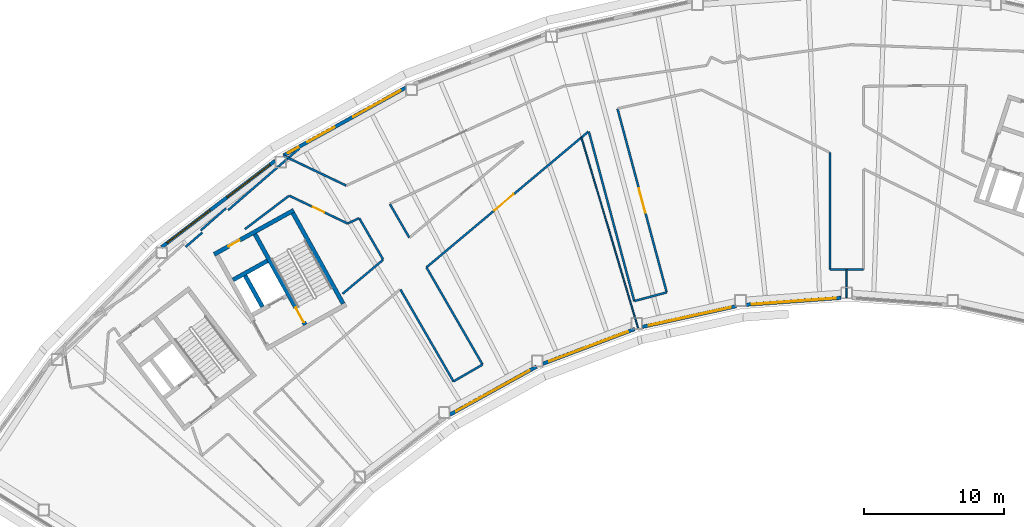
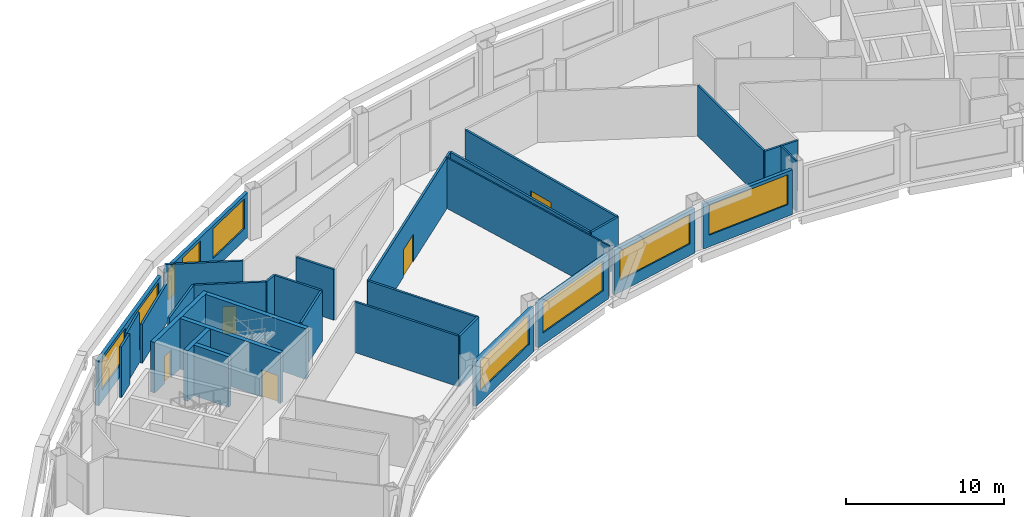
# One storey, part 6 of 13: 32 walls, 9 windows, 5 doors, 14 openings.
"""IFC4 building model written with IfcOpenShell, lengths in metres."""

import ifcopenshell
import ifcopenshell.guid

model = None  # the IFC model being written
_history = None  # IfcOwnerHistory: only IFC2X3 demands one
_inside = {}  # id of a spatial element -> (the spatial element, [elements in it])
_under = {}  # id of a project, library or spatial element -> (it, [spatial elements below it])
_declared = {}  # id of a project -> (the project, [libraries it declares])
_typed = {}  # id of a type object -> (the type object, [elements of that type])
_made_of = {}  # id of a material, layer set ... -> (it, [elements and type objects made of it])


def new_model(schema):
    """Start an empty IFC model of exactly this schema.

    Asked for "IFC4X3", IfcOpenShell would pick the latest addendum, in which some entities
    have other attributes; the version numbers below select the first issue.
    IFC2X3 requires an IfcOwnerHistory on every rooted entity: one is made here for all.
    """
    global model, _history
    if schema == "IFC4X3":
        model = ifcopenshell.file(schema_version=(4, 3, 0, 0))
    else:
        model = ifcopenshell.file(schema=schema)
    _inside.clear()
    _under.clear()
    _declared.clear()
    _typed.clear()
    _made_of.clear()
    _history = None
    if model.schema == "IFC2X3":
        org = make("IfcOrganization", Name="unknown")
        user = make(
            "IfcPersonAndOrganization",
            ThePerson=make("IfcPerson", FamilyName="unknown"),
            TheOrganization=org,
        )
        app = make(
            "IfcApplication",
            ApplicationDeveloper=org,
            Version="unknown",
            ApplicationFullName="unknown",
            ApplicationIdentifier="unknown",
        )
        _history = make(
            "IfcOwnerHistory",
            OwningUser=user,
            OwningApplication=app,
            ChangeAction="ADDED",
            CreationDate=0,
        )
    return model


def make(cls, **values):
    """One entity of the class cls with the attributes given. An attribute that is None is left unset."""
    return model.create_entity(
        cls, **{name: value for name, value in values.items() if value is not None}
    )


def rooted(cls, **values):
    """An entity with a GlobalId (a new one), such as an element, a storey or a relation."""
    return make(cls, GlobalId=ifcopenshell.guid.new(), OwnerHistory=_history, **values)


def si_unit(unit_type, name, prefix=None):
    """IfcSIUnit, for example si_unit("LENGTHUNIT", "METRE", prefix="MILLI")."""
    return make("IfcSIUnit", UnitType=unit_type, Prefix=prefix, Name=name)


def assignment(units):
    """IfcUnitAssignment: the units of a project."""
    return None if units is None else make("IfcUnitAssignment", Units=units)


def point(xyz):
    """IfcCartesianPoint."""
    return None if xyz is None else make("IfcCartesianPoint", Coordinates=xyz)


def direction(xyz):
    """IfcDirection."""
    return None if xyz is None else make("IfcDirection", DirectionRatios=xyz)


def frame(location, z_axis=None, x_axis=None):
    """IfcAxis2Placement3D, a coordinate frame: its origin and axes. An axis left out is left unset."""
    return make(
        "IfcAxis2Placement3D",
        Location=point(location),
        Axis=direction(z_axis),
        RefDirection=direction(x_axis),
    )


def frame_2d(location, x_axis=None):
    """IfcAxis2Placement2D, a coordinate frame in the plane: its origin and x axis."""
    return make(
        "IfcAxis2Placement2D", Location=point(location), RefDirection=direction(x_axis)
    )


def origin():
    """The frame at (0, 0, 0) with its axes left unset."""
    return frame((0.0, 0.0, 0.0))


def place(relative_to, where):
    """IfcLocalPlacement: puts the frame where relative to a parent placement (None: the world)."""
    return make(
        "IfcLocalPlacement", PlacementRelTo=relative_to, RelativePlacement=where
    )


def context(
    kind, dimensions, precision=None, world=None, true_north=None, identifier=None
):
    """IfcGeometricRepresentationContext, for example the 3D "Model" context."""
    return make(
        "IfcGeometricRepresentationContext",
        ContextIdentifier=identifier,
        ContextType=kind,
        CoordinateSpaceDimension=dimensions,
        Precision=precision,
        WorldCoordinateSystem=world,
        TrueNorth=true_north,
    )


def subcontext(parent, identifier, kind, view, scale=None):
    """IfcGeometricRepresentationSubContext, for example "Body" below "Model"."""
    return make(
        "IfcGeometricRepresentationSubContext",
        ContextIdentifier=identifier,
        ContextType=kind,
        ParentContext=parent,
        TargetScale=scale,
        TargetView=view,
    )


def project(units=None, contexts=None):
    """IfcProject with its units and contexts."""
    return rooted(
        "IfcProject",
        Name="project",
        RepresentationContexts=contexts,
        UnitsInContext=assignment(units),
    )


def spatial(cls, under=None, at=None, **own):
    """A site, building, storey or space (cls), placed at a placement, below another one or the project."""
    s = rooted(cls, ObjectPlacement=at, **own)
    if under is not None:
        _under.setdefault(under.id(), (under, []))[1].append(s)
    return s


def profile(cls, at=None, kind="AREA", **sizes):
    """A parametric profile (cls). Its sizes go by their IFC names, for example OverallWidth=200.0."""
    return make(cls, ProfileType=kind, Position=at, **sizes)


def rectangle(**sizes):
    """IfcRectangleProfileDef."""
    return profile("IfcRectangleProfileDef", **sizes)


def extrude(swept, where, along, depth):
    """IfcExtrudedAreaSolid: the profile swept, set in the frame where, extruded along a direction by depth."""
    return make(
        "IfcExtrudedAreaSolid",
        SweptArea=swept,
        Position=where,
        ExtrudedDirection=direction(along),
        Depth=depth,
    )


def shape(context_of_items, identifier, shape_type, items):
    """IfcShapeRepresentation: the items that make up one representation, for example the "Body"."""
    return make(
        "IfcShapeRepresentation",
        ContextOfItems=context_of_items,
        RepresentationIdentifier=identifier,
        RepresentationType=shape_type,
        Items=items,
    )


def material(Name=None, Category=None):
    """IfcMaterial."""
    return make("IfcMaterial", Name=Name, Category=Category)


def layer(
    of_material, thickness, ventilated=None, Name=None, Category=None, Priority=None
):
    """IfcMaterialLayer: one layer of a wall or slab, of a material (None: an air gap)."""
    return make(
        "IfcMaterialLayer",
        Material=of_material,
        LayerThickness=thickness,
        IsVentilated=ventilated,
        Name=Name,
        Category=Category,
        Priority=Priority,
    )


def layer_set(layers, Name=None):
    """IfcMaterialLayerSet."""
    return make("IfcMaterialLayerSet", MaterialLayers=layers, LayerSetName=Name)


def made_of(thing, what):
    """Note that an element or type object is made of a material, layer set ...; save() writes the relation."""
    if what is not None:
        _made_of.setdefault(what.id(), (what, []))[1].append(thing)
    return thing


def type_object(cls, material=None, **own):
    """A type object (cls), such as IfcWallType, which elements share."""
    return made_of(rooted(cls, **own), material)


def element(
    cls,
    number,
    at=None,
    inside=None,
    cuts=None,
    type_object=None,
    material=None,
    context=None,
    identifier="Body",
    shape_type=None,
    held_by="IfcProductDefinitionShape",
    body=None,
    shapes=None,
    **own,
):
    """One element of the class cls, such as IfcWall. Its Tag is "e" and its number.

    at: its placement. inside: the storey or other place that contains it. cuts: it is an
    opening in that element (IfcRelVoidsElement). A single representation is given by context,
    identifier, shape_type and body (its items); several are given by shapes. held_by: the class
    of the entity that holds the representations. save() writes the other relations.
    """
    e = rooted(cls, Tag="e%d" % number, ObjectPlacement=at, **own)
    if body is not None:
        shapes = [shape(context, identifier, shape_type, body)]
    if shapes is not None:
        e.Representation = make(held_by, Representations=shapes)
    if inside is not None:
        _inside.setdefault(inside.id(), (inside, []))[1].append(e)
    if cuts is not None:
        rooted(
            "IfcRelVoidsElement", RelatingBuildingElement=cuts, RelatedOpeningElement=e
        )
    if type_object is not None:
        _typed.setdefault(type_object.id(), (type_object, []))[1].append(e)
    return made_of(e, material)


def fill(opening, filler):
    """IfcRelFillsElement: the door or window that sits in an opening."""
    return rooted(
        "IfcRelFillsElement",
        RelatingOpeningElement=opening,
        RelatedBuildingElement=filler,
    )


def aggregate(whole, parts):
    """IfcRelAggregates: a whole, such as a stair, and the parts it consists of."""
    return rooted("IfcRelAggregates", RelatingObject=whole, RelatedObjects=parts)


def save(model, path):
    """Write the relations noted so far, then the file.

    IfcRelAggregates (storeys below a building ...), IfcRelContainedInSpatialStructure (elements
    in a storey), IfcRelDefinesByType, IfcRelAssociatesMaterial and IfcRelDeclares: one each for
    every whole, place, type object, material and project.
    """
    for whole, parts in _under.values():
        aggregate(whole, parts)
    for where, things in _inside.values():
        rooted(
            "IfcRelContainedInSpatialStructure",
            RelatedElements=things,
            RelatingStructure=where,
        )
    for kind, things in _typed.values():
        rooted("IfcRelDefinesByType", RelatedObjects=things, RelatingType=kind)
    for what, things in _made_of.values():
        rooted("IfcRelAssociatesMaterial", RelatedObjects=things, RelatingMaterial=what)
    for by, libraries in _declared.values():
        rooted("IfcRelDeclares", RelatingContext=by, RelatedDefinitions=libraries)
    model.write(path)


model = new_model("IFC4")

# Units and contexts
model_context = context("Model", 3, precision=1e-05, world=origin(), true_north=direction((0.0, 1.0)))
body_context = subcontext(model_context, "Body", "Model", "MODEL_VIEW")
ifc_project = project(units=[si_unit("LENGTHUNIT", "METRE"), si_unit("AREAUNIT", "SQUARE_METRE"), si_unit("VOLUMEUNIT", "CUBIC_METRE"), si_unit("PLANEANGLEUNIT", "RADIAN"), si_unit("MASSUNIT", "GRAM", prefix="KILO")], contexts=[model_context])

# Site, building, storey
site_placement = place(None, origin())
site = spatial("IfcSite", under=ifc_project, at=site_placement, CompositionType="ELEMENT")
building_placement = place(site_placement, origin())
building = spatial("IfcBuilding", under=site, at=building_placement, Name="Tuul Gate Civic Tower", CompositionType="ELEMENT")
storey_placement = place(building_placement, frame((0.0, 0.0, 252.60009765625)))
storey = spatial("IfcBuildingStorey", under=building, at=storey_placement, Name="Level 57", CompositionType="ELEMENT", Elevation=252.60009765625)

# Wall
ifc_material_1 = material(Name="Concrete C50/60", Category="concrete")
ifc_layer_1 = layer(ifc_material_1, 0.300048828125)
ifc_layer_set_1 = layer_set([ifc_layer_1], Name="Concrete C50/60")
wall_type_1 = type_object("IfcWallType", Name="Core wall C50/60", PredefinedType="SHEAR", material=ifc_layer_set_1)
wall_1_placement = place(storey_placement, frame((-30.327392578125, -5.59716796875, 0.0), z_axis=(0.0, 0.0, 1.0), x_axis=(-0.874629840737, -0.484791338301, 0.0)))
element("IfcWall", 1, at=wall_1_placement, inside=storey, type_object=wall_type_1, Name="Core wall", PredefinedType="SHEAR", context=body_context, shape_type="SweptSolid", body=[
    extrude(rectangle(XDim=2.800048828125, YDim=0.300048828125, at=frame_2d((1.39990234375, 0.0))), origin(), (0.0, 0.0, 1.0), 3.89990234375),
])

# Wall, opening, door
wall_2_placement = place(storey_placement, frame((-28.4443359375, -1.98095703125, 0.0), z_axis=(0.0, 0.0, 1.0), x_axis=(-0.874629909008, -0.484791215132, 0.0)))
wall_2 = element("IfcWall", 2, at=wall_2_placement, inside=storey, type_object=wall_type_1, Name="Core wall", PredefinedType="SHEAR", context=body_context, shape_type="SweptSolid", body=[
    extrude(rectangle(XDim=6.5, YDim=0.300048828125, at=frame_2d((3.25, 0.0))), origin(), (0.0, 0.0, 1.0), 3.89990234375),
])
opening_1_placement = place(wall_2_placement, frame((4.425048828125, 0.0, 0.0)))
opening_1 = element("IfcOpeningElement", 3, at=opening_1_placement, cuts=wall_2, Name="Opening U-D17", PredefinedType="OPENING", context=body_context, shape_type="SweptSolid", body=[
    extrude(rectangle(XDim=0.89990234375, YDim=2.10009765625, at=frame_2d((0.449951171875, 1.050048828125))), frame((0.0, 0.16015625, 0.0), z_axis=(0.0, -1.0, 0.0), x_axis=(1.0, 0.0, 0.0)), (0.0, 0.0, 1.0), 0.320068359375),
])
ifc_material_2 = material(Name="Timber door leaf", Category="wood")
door_type_1 = type_object("IfcDoorType", Name="Door D09", OperationType="NOTDEFINED", PredefinedType="DOOR", material=ifc_material_2)
door_1_placement = place(opening_1_placement, origin())
door_1 = element("IfcDoor", 4, at=door_1_placement, inside=storey, type_object=door_type_1, Name="Door U-D17", OperationType="SINGLE_SWING_LEFT", OverallHeight=2.10009765625, OverallWidth=0.89990234375, PredefinedType="DOOR", context=body_context, shape_type="SweptSolid", body=[
    extrude(rectangle(XDim=0.89990234375, YDim=2.10009765625, at=frame_2d((0.449951171875, 1.050048828125))), frame((0.0, 0.02490234375, 0.0), z_axis=(0.0, -1.0, 0.0), x_axis=(1.0, 0.0, 0.0)), (0.0, 0.0, 1.0), 0.050048828125),
])
fill(opening_1, door_1)

# Wall
wall_3_placement = place(storey_placement, frame((-24.91552734375, -8.6572265625, 0.0), z_axis=(0.0, 0.0, 1.0), x_axis=(-0.484777133038, 0.874637714304, 0.0)))
element("IfcWall", 5, at=wall_3_placement, inside=storey, type_object=wall_type_1, Name="Core wall", PredefinedType="SHEAR", context=body_context, shape_type="SweptSolid", body=[
    extrude(rectangle(XDim=7.400146484375, YDim=0.300048828125, at=frame_2d((3.7001953125, 0.0))), origin(), (0.0, 0.0, 1.0), 3.89990234375),
])

# Wall, opening, door
wall_4_placement = place(storey_placement, frame((-27.626953125, -10.16015625, 0.0), z_axis=(0.0, 0.0, 1.0), x_axis=(-0.484751894226, 0.874651702704, 0.0)))
wall_4 = element("IfcWall", 6, at=wall_4_placement, inside=storey, type_object=wall_type_1, Name="Core wall", PredefinedType="SHEAR", context=body_context, shape_type="SweptSolid", body=[
    extrude(rectangle(XDim=7.39990234375, YDim=0.300048828125, at=frame_2d((3.699951171875, 0.0))), origin(), (0.0, 0.0, 1.0), 3.89990234375),
])
opening_2_placement = place(wall_4_placement, frame((0.199951171875, 0.0, 0.0)))
opening_2 = element("IfcOpeningElement", 7, at=opening_2_placement, cuts=wall_4, Name="Opening SD-ST-2", PredefinedType="OPENING", context=body_context, shape_type="SweptSolid", body=[
    extrude(rectangle(XDim=1.199951171875, YDim=2.10009765625, at=frame_2d((0.60009765625, 1.050048828125))), frame((0.0, 0.16015625, 0.0), z_axis=(0.0, -1.0, 0.0), x_axis=(1.0, 0.0, 0.0)), (0.0, 0.0, 1.0), 0.320068359375),
])
ifc_material_3 = material(Name="Steel", Category="steel")
door_type_2 = type_object("IfcDoorType", Name="Stair door", OperationType="NOTDEFINED", PredefinedType="DOOR", material=ifc_material_3)
door_2_placement = place(opening_2_placement, origin())
door_2 = element("IfcDoor", 8, at=door_2_placement, inside=storey, type_object=door_type_2, Name="Stair door ST-2", OperationType="SINGLE_SWING_LEFT", OverallHeight=2.10009765625, OverallWidth=1.199951171875, PredefinedType="DOOR", context=body_context, shape_type="SweptSolid", body=[
    extrude(rectangle(XDim=1.199951171875, YDim=2.10009765625, at=frame_2d((0.60009765625, 1.050048828125))), frame((0.0, 0.02490234375, 0.0), z_axis=(0.0, -1.0, 0.0), x_axis=(1.0, 0.0, 0.0)), (0.0, 0.0, 1.0), 0.050048828125),
])
fill(opening_2, door_2)

# Walls
wall_5_placement = place(storey_placement, frame((-30.680419921875, -8.8798828125, 0.0), z_axis=(0.0, 0.0, 1.0), x_axis=(-0.484724115216, 0.874667097888, 0.0)))
element("IfcWall", 9, at=wall_5_placement, inside=storey, type_object=wall_type_1, Name="Core wall", PredefinedType="SHEAR", context=body_context, shape_type="SweptSolid", body=[
    extrude(rectangle(XDim=2.550048828125, YDim=0.300048828125, at=frame_2d((1.27490234375, 0.0))), origin(), (0.0, 0.0, 1.0), 3.89990234375),
])
ifc_material_4 = material(Name="Gypsum board partition")
ifc_layer_2 = layer(ifc_material_4, 0.14990234375)
ifc_layer_set_2 = layer_set([ifc_layer_2], Name="Gypsum board partition")
wall_type_2 = type_object("IfcWallType", Name="Corridor wall P150", PredefinedType="PARTITIONING", material=ifc_layer_set_2)
wall_6_placement = place(storey_placement, frame((-24.962890625, -7.9521484375, 0.0), z_axis=(0.0, 0.0, 1.0), x_axis=(0.766357875196, 0.642413890825, 0.0)))
element("IfcWall", 10, at=wall_6_placement, inside=storey, type_object=wall_type_2, Name="p027", PredefinedType="PARTITIONING", context=body_context, shape_type="SweptSolid", body=[
    extrude(rectangle(XDim=3.776123046875, YDim=0.14990234375, at=frame_2d((1.88818359375, 0.0))), origin(), (0.0, 0.0, 1.0), 3.89990234375),
])
wall_7_placement = place(storey_placement, frame((-29.199951171875, 1.923583984375, 0.0), z_axis=(0.0, 0.0, 1.0), x_axis=(0.902648244688, -0.430379072867, 0.0)))
element("IfcWall", 11, at=wall_7_placement, inside=storey, type_object=wall_type_2, Name="p030", PredefinedType="PARTITIONING", context=body_context, shape_type="SweptSolid", body=[
    extrude(rectangle(XDim=4.977294921875, YDim=0.14990234375, at=frame_2d((2.48876953125, 0.0))), origin(), (0.0, 0.0, 1.0), 3.89990234375),
])
wall_8_placement = place(storey_placement, frame((-36.156982421875, -4.597412109375, 0.0), z_axis=(0.0, 0.0, 1.0), x_axis=(0.755709613156, 0.654906848783, 0.0)))
element("IfcWall", 12, at=wall_8_placement, inside=storey, type_object=wall_type_2, Name="p033", PredefinedType="PARTITIONING", context=body_context, shape_type="SweptSolid", body=[
    extrude(rectangle(XDim=1.5693359375, YDim=0.14990234375, at=frame_2d((0.78466796875, 0.0))), origin(), (0.0, 0.0, 1.0), 3.89990234375),
])
wall_9_placement = place(storey_placement, frame((-35.07861328125, -3.419921875, 0.0), z_axis=(0.0, 0.0, 1.0), x_axis=(0.750493524319, 0.660877802589, 0.0)))
element("IfcWall", 13, at=wall_9_placement, inside=storey, type_object=wall_type_2, Name="p035", PredefinedType="PARTITIONING", context=body_context, shape_type="SweptSolid", body=[
    extrude(rectangle(XDim=2.400146484375, YDim=0.14990234375, at=frame_2d((1.2001953125, 0.0))), origin(), (0.0, 0.0, 1.0), 3.89990234375),
])
wall_10_placement = place(storey_placement, frame((9.831298828125, -6.227294921875, 0.0), z_axis=(0.0, 0.0, 1.0), x_axis=(1.0, 0.0, 0.0)))
element("IfcWall", 14, at=wall_10_placement, inside=storey, type_object=wall_type_2, Name="p044", PredefinedType="PARTITIONING", context=body_context, shape_type="SweptSolid", body=[
    extrude(rectangle(XDim=2.399658203125, YDim=0.14990234375, at=frame_2d((1.19970703125, 0.0))), origin(), (0.0, 0.0, 1.0), 3.89990234375),
])

# Wall, opening, door
wall_11_placement = place(storey_placement, frame((-18.95751953125, -6.0498046875, 0.0), z_axis=(0.0, 0.0, 1.0), x_axis=(0.766328886773, 0.642448470539, 0.0)))
wall_11 = element("IfcWall", 15, at=wall_11_placement, inside=storey, type_object=wall_type_2, Name="p061", PredefinedType="PARTITIONING", context=body_context, shape_type="SweptSolid", body=[
    extrude(rectangle(XDim=15.074462890625, YDim=0.14990234375, at=frame_2d((7.537109375, 0.0))), origin(), (0.0, 0.0, 1.0), 3.89990234375),
])
opening_3_placement = place(wall_11_placement, frame((6.310546875, 0.0, 0.0)))
opening_3 = element("IfcOpeningElement", 16, at=opening_3_placement, cuts=wall_11, Name="Opening U-D09", PredefinedType="OPENING", context=body_context, shape_type="SweptSolid", body=[
    extrude(rectangle(XDim=1.800048828125, YDim=2.10009765625, at=frame_2d((0.89990234375, 1.050048828125))), frame((0.0, 0.0849609375, 0.0), z_axis=(0.0, -1.0, 0.0), x_axis=(1.0, 0.0, 0.0)), (0.0, 0.0, 1.0), 0.169921875),
])
ifc_material_5 = material(Name="Timber door leaf, double", Category="wood")
door_type_3 = type_object("IfcDoorType", Name="Door D18", OperationType="DOUBLE_DOOR_SINGLE_SWING", PredefinedType="DOOR", material=ifc_material_5)
door_3_placement = place(opening_3_placement, frame((1.800048828125, 0.0, 0.0), z_axis=(0.0, 0.0, 1.0), x_axis=(-1.0, 0.0, 0.0)))
door_3 = element("IfcDoor", 17, at=door_3_placement, inside=storey, type_object=door_type_3, Name="Door U-D09", OperationType="DOUBLE_DOOR_SINGLE_SWING", OverallHeight=2.10009765625, OverallWidth=1.800048828125, PredefinedType="DOOR", context=body_context, shape_type="SweptSolid", body=[
    extrude(rectangle(XDim=1.800048828125, YDim=2.10009765625, at=frame_2d((0.900146484375, 1.050048828125))), frame((0.0, 0.02490234375, 0.0), z_axis=(0.0, -1.0, 0.0), x_axis=(1.0, 0.0, 0.0)), (0.0, 0.0, 1.0), 0.050048828125),
])
fill(opening_3, door_3)

# Walls
wall_12_placement = place(storey_placement, frame((-7.373291015625, 3.62451171875, 0.0), z_axis=(0.0, 0.0, 1.0), x_axis=(0.258817964345, -0.965926115877, 0.0)))
element("IfcWall", 18, at=wall_12_placement, inside=storey, type_object=wall_type_2, Name="p062", PredefinedType="PARTITIONING", context=body_context, shape_type="SweptSolid", body=[
    extrude(rectangle(XDim=12.519287109375, YDim=0.14990234375, at=frame_2d((6.259765625, 0.0))), origin(), (0.0, 0.0, 1.0), 3.89990234375),
])
wall_13_placement = place(storey_placement, frame((-4.13232421875, -8.46875, 0.0), z_axis=(0.0, 0.0, 1.0), x_axis=(0.965928517763, 0.258809000176, 0.0)))
element("IfcWall", 19, at=wall_13_placement, inside=storey, type_object=wall_type_2, Name="p063", PredefinedType="PARTITIONING", context=body_context, shape_type="SweptSolid", body=[
    extrude(rectangle(XDim=2.39892578125, YDim=0.14990234375, at=frame_2d((1.199462890625, 0.0))), origin(), (0.0, 0.0, 1.0), 3.89990234375),
])

# Wall, opening, door
wall_14_placement = place(storey_placement, frame((-5.326171875, 5.257080078125, 0.0), z_axis=(0.0, 0.0, 1.0), x_axis=(0.258832932243, -0.965922105134, 0.0)))
wall_14 = element("IfcWall", 20, at=wall_14_placement, inside=storey, type_object=wall_type_2, Name="p064", PredefinedType="PARTITIONING", context=body_context, shape_type="SweptSolid", body=[
    extrude(rectangle(XDim=13.566650390625, YDim=0.14990234375, at=frame_2d((6.783203125, 0.0))), origin(), (0.0, 0.0, 1.0), 3.89990234375),
])
opening_4_placement = place(wall_14_placement, frame((5.88330078125, 0.0, 0.0)))
opening_4 = element("IfcOpeningElement", 21, at=opening_4_placement, cuts=wall_14, Name="Opening U-D08", PredefinedType="OPENING", context=body_context, shape_type="SweptSolid", body=[
    extrude(rectangle(XDim=1.800048828125, YDim=2.10009765625, at=frame_2d((0.89990234375, 1.050048828125))), frame((0.0, 0.0849609375, 0.0), z_axis=(0.0, -1.0, 0.0), x_axis=(1.0, 0.0, 0.0)), (0.0, 0.0, 1.0), 0.169921875),
])
door_4_placement = place(opening_4_placement, origin())
door_4 = element("IfcDoor", 22, at=door_4_placement, inside=storey, type_object=door_type_3, Name="Door U-D08", OperationType="DOUBLE_DOOR_SINGLE_SWING", OverallHeight=2.10009765625, OverallWidth=1.800048828125, PredefinedType="DOOR", context=body_context, shape_type="SweptSolid", body=[
    extrude(rectangle(XDim=1.800048828125, YDim=2.10009765625, at=frame_2d((0.89990234375, 1.050048828125))), frame((0.0, 0.02490234375, 0.0), z_axis=(0.0, -1.0, 0.0), x_axis=(1.0, 0.0, 0.0)), (0.0, 0.0, 1.0), 0.050048828125),
])
fill(opening_4, door_4)

# Walls
wall_15_placement = place(storey_placement, frame((9.830810546875, -6.226806640625, 0.0), z_axis=(0.0, 0.0, 1.0), x_axis=(0.0, 1.0, 0.0)))
element("IfcWall", 23, at=wall_15_placement, inside=storey, type_object=wall_type_2, Name="p066", PredefinedType="PARTITIONING", context=body_context, shape_type="SweptSolid", body=[
    extrude(rectangle(XDim=8.359619140625, YDim=0.14990234375, at=frame_2d((4.1796875, 0.0))), origin(), (0.0, 0.0, 1.0), 3.89990234375),
])
wall_16_placement = place(storey_placement, frame((-23.76171875, -2.56201171875, 0.0), z_axis=(0.0, 0.0, 1.0), x_axis=(0.500015112013, -0.866016678684, 0.0)))
element("IfcWall", 24, at=wall_16_placement, inside=storey, type_object=wall_type_2, Name="p068", PredefinedType="PARTITIONING", context=body_context, shape_type="SweptSolid", body=[
    extrude(rectangle(XDim=3.39404296875, YDim=0.14990234375, at=frame_2d((1.697021484375, 0.0))), origin(), (0.0, 0.0, 1.0), 3.89990234375),
])
wall_17_placement = place(storey_placement, frame((-20.825927734375, -7.646484375, 0.0), z_axis=(0.0, 0.0, 1.0), x_axis=(0.499988548283, -0.866032015335, 0.0)))
element("IfcWall", 25, at=wall_17_placement, inside=storey, type_object=wall_type_2, Name="p069", PredefinedType="PARTITIONING", context=body_context, shape_type="SweptSolid", body=[
    extrude(rectangle(XDim=7.571533203125, YDim=0.14990234375, at=frame_2d((3.78564453125, 0.0))), origin(), (0.0, 0.0, 1.0), 3.89990234375),
])
wall_18_placement = place(storey_placement, frame((-17.039794921875, -14.20361328125, 0.0), z_axis=(0.0, 0.0, 1.0), x_axis=(0.866036455013, 0.499980858223, 0.0)))
element("IfcWall", 26, at=wall_18_placement, inside=storey, type_object=wall_type_2, Name="p070", PredefinedType="PARTITIONING", context=body_context, shape_type="SweptSolid", body=[
    extrude(rectangle(XDim=2.39892578125, YDim=0.14990234375, at=frame_2d((1.199462890625, 0.0))), origin(), (0.0, 0.0, 1.0), 3.89990234375),
])
wall_19_placement = place(storey_placement, frame((-21.576416015625, -1.546630859375, 0.0), z_axis=(0.0, 0.0, 1.0), x_axis=(0.500004084281, -0.866023045711, 0.0)))
element("IfcWall", 27, at=wall_19_placement, inside=storey, type_object=wall_type_2, Name="p071", PredefinedType="PARTITIONING", context=body_context, shape_type="SweptSolid", body=[
    extrude(rectangle(XDim=2.75146484375, YDim=0.14990234375, at=frame_2d((1.375732421875, 0.0))), origin(), (0.0, 0.0, 1.0), 3.89990234375),
])
wall_20_placement = place(storey_placement, frame((-18.9619140625, -6.074951171875, 0.0), z_axis=(0.0, 0.0, 1.0), x_axis=(0.499985734379, -0.866033639888, 0.0)))
element("IfcWall", 28, at=wall_20_placement, inside=storey, type_object=wall_type_2, Name="p072", PredefinedType="PARTITIONING", context=body_context, shape_type="SweptSolid", body=[
    extrude(rectangle(XDim=8.000244140625, YDim=0.14990234375, at=frame_2d((4.0, 0.0))), origin(), (0.0, 0.0, 1.0), 3.89990234375),
])
wall_21_placement = place(storey_placement, frame((-31.930908203125, -3.330078125, 0.0), z_axis=(0.0, 0.0, 1.0), x_axis=(0.797485960733, 0.603337502923, 0.0)))
element("IfcWall", 29, at=wall_21_placement, inside=storey, type_object=wall_type_2, Name="p075", PredefinedType="PARTITIONING", context=body_context, shape_type="SweptSolid", body=[
    extrude(rectangle(XDim=3.94970703125, YDim=0.14990234375, at=frame_2d((1.974853515625, 0.0))), origin(), (0.0, 0.0, 1.0), 3.89990234375),
])
wall_22_placement = place(storey_placement, frame((-24.59521484375, -2.930419921875, 0.0), z_axis=(0.0, 0.0, 1.0), x_axis=(0.906309050198, 0.422615552872, 0.0)))
element("IfcWall", 30, at=wall_22_placement, inside=storey, type_object=wall_type_2, Name="p080", PredefinedType="PARTITIONING", context=body_context, shape_type="SweptSolid", body=[
    extrude(rectangle(XDim=0.891357421875, YDim=0.14990234375, at=frame_2d((0.44580078125, 0.0))), origin(), (0.0, 0.0, 1.0), 3.89990234375),
])

# Wall, opening, door
wall_23_placement = place(storey_placement, frame((-28.76025390625, -0.94482421875, 0.0), z_axis=(0.0, 0.0, 1.0), x_axis=(0.902632466711, -0.430412162978, 0.0)))
wall_23 = element("IfcWall", 31, at=wall_23_placement, inside=storey, type_object=wall_type_2, Name="p091", PredefinedType="PARTITIONING", context=body_context, shape_type="SweptSolid", body=[
    extrude(rectangle(XDim=4.61328125, YDim=0.14990234375, at=frame_2d((2.306640625, 0.0))), origin(), (0.0, 0.0, 1.0), 3.89990234375),
])
opening_5_placement = place(wall_23_placement, frame((1.856689453125, 0.0, 0.0)))
opening_5 = element("IfcOpeningElement", 32, at=opening_5_placement, cuts=wall_23, Name="Opening U-D15", PredefinedType="OPENING", context=body_context, shape_type="SweptSolid", body=[
    extrude(rectangle(XDim=0.89990234375, YDim=2.10009765625, at=frame_2d((0.449951171875, 1.050048828125))), frame((0.0, 0.0849609375, 0.0), z_axis=(0.0, -1.0, 0.0), x_axis=(1.0, 0.0, 0.0)), (0.0, 0.0, 1.0), 0.169921875),
])
door_5_placement = place(opening_5_placement, frame((0.89990234375, 0.0, 0.0), z_axis=(0.0, 0.0, 1.0), x_axis=(-1.0, 0.0, 0.0)))
door_5 = element("IfcDoor", 33, at=door_5_placement, inside=storey, type_object=door_type_1, Name="Door U-D15", OperationType="SINGLE_SWING_LEFT", OverallHeight=2.10009765625, OverallWidth=0.89990234375, PredefinedType="DOOR", context=body_context, shape_type="SweptSolid", body=[
    extrude(rectangle(XDim=0.89990234375, YDim=2.10009765625, at=frame_2d((0.449951171875, 1.050048828125))), frame((0.0, 0.02490234375, 0.0), z_axis=(0.0, -1.0, 0.0), x_axis=(1.0, 0.0, 0.0)), (0.0, 0.0, 1.0), 0.050048828125),
])
fill(opening_5, door_5)

# Wall
ifc_material_6 = material(Name="Gypsum board partition")
ifc_layer_3 = layer(ifc_material_6, 0.14990234375)
ifc_layer_set_3 = layer_set([ifc_layer_3], Name="Gypsum board partition")
wall_type_3 = type_object("IfcWallType", Name="Corridor wall P150 3000 HIGH", PredefinedType="PARTITIONING", material=ifc_layer_set_3)
wall_24_placement = place(storey_placement, frame((-33.12841796875, -1.97265625, 0.0), z_axis=(0.0, 0.0, 1.0), x_axis=(0.755707033907, 0.654909825017, 0.0)))
element("IfcWall", 34, at=wall_24_placement, inside=storey, type_object=wall_type_3, Name="p034", PredefinedType="PARTITIONING", context=body_context, shape_type="SweptSolid", body=[
    extrude(rectangle(XDim=6.73095703125, YDim=0.14990234375, at=frame_2d((3.365478515625, 0.0))), origin(), (0.0, 0.0, 1.0), 3.0),
])

# Wall, openings, windows
ifc_material_7 = material(Name="Precast concrete C40/50", Category="concrete")
ifc_layer_4 = layer(ifc_material_7, 0.25)
ifc_layer_set_4 = layer_set([ifc_layer_4], Name="Precast concrete C40/50")
wall_type_4 = type_object("IfcWallType", Name="External wall", PredefinedType="STANDARD", material=ifc_layer_set_4)
wall_25_placement = place(storey_placement, frame((-20.43310546875, 6.777099609375, 0.0), z_axis=(0.0, 0.0, 1.0), x_axis=(-0.874626406342, -0.484797534368, 0.0)))
wall_25 = element("IfcWall", 35, at=wall_25_placement, inside=storey, type_object=wall_type_4, Name="External wall", PredefinedType="STANDARD", context=body_context, shape_type="SweptSolid", body=[
    extrude(rectangle(XDim=9.982177734375, YDim=0.25, at=frame_2d((4.9912109375, 0.0))), origin(), (0.0, 0.0, 1.0), 3.449951171875),
])
opening_6_placement = place(wall_25_placement, frame((0.4501953125, 0.0, 0.89990234375)))
opening_6 = element("IfcOpeningElement", 36, at=opening_6_placement, cuts=wall_25, Name="Opening W22", PredefinedType="OPENING", context=body_context, shape_type="SweptSolid", body=[
    extrude(rectangle(XDim=3.85009765625, YDim=2.300048828125, at=frame_2d((1.925048828125, 1.14990234375))), frame((0.0, 0.135009765625, 0.0), z_axis=(0.0, -1.0, 0.0), x_axis=(1.0, 0.0, 0.0)), (0.0, 0.0, 1.0), 0.27001953125),
])
opening_7_placement = place(wall_25_placement, frame((5.82177734375, 0.0, 0.89990234375)))
opening_7 = element("IfcOpeningElement", 37, at=opening_7_placement, cuts=wall_25, Name="Opening W63", PredefinedType="OPENING", context=body_context, shape_type="SweptSolid", body=[
    extrude(rectangle(XDim=2.199951171875, YDim=2.300048828125, at=frame_2d((1.10009765625, 1.14990234375))), frame((0.0, 0.135009765625, 0.0), z_axis=(0.0, -1.0, 0.0), x_axis=(1.0, 0.0, 0.0)), (0.0, 0.0, 1.0), 0.27001953125),
])
opening_8_placement = place(wall_25_placement, frame((8.7890625, 0.0, 0.89990234375)))
opening_8 = element("IfcOpeningElement", 38, at=opening_8_placement, cuts=wall_25, Name="Opening W79", PredefinedType="OPENING", context=body_context, shape_type="SweptSolid", body=[
    extrude(rectangle(XDim=0.85009765625, YDim=2.300048828125, at=frame_2d((0.425048828125, 1.14990234375))), frame((0.0, 0.135009765625, 0.0), z_axis=(0.0, -1.0, 0.0), x_axis=(1.0, 0.0, 0.0)), (0.0, 0.0, 1.0), 0.27001953125),
])
ifc_material_8 = material(Name="Glass", Category="glass")
window_type_1 = type_object("IfcWindowType", Name="Window 2200 x 2300", PartitioningType="SINGLE_PANEL", PredefinedType="WINDOW", material=ifc_material_8)
window_1_placement = place(opening_7_placement, origin())
window_1 = element("IfcWindow", 39, at=window_1_placement, inside=storey, type_object=window_type_1, Name="Window", OverallHeight=2.300048828125, OverallWidth=2.199951171875, PartitioningType="SINGLE_PANEL", PredefinedType="WINDOW", context=body_context, shape_type="SweptSolid", body=[
    extrude(rectangle(XDim=2.199951171875, YDim=2.300048828125, at=frame_2d((1.10009765625, 1.14990234375))), frame((0.0, 0.030029296875, 0.0), z_axis=(0.0, -1.0, 0.0), x_axis=(1.0, 0.0, 0.0)), (0.0, 0.0, 1.0), 0.06005859375),
])
fill(opening_7, window_1)
ifc_material_9 = material(Name="Glass", Category="glass")
window_type_2 = type_object("IfcWindowType", Name="Window 850 x 2300", PartitioningType="SINGLE_PANEL", PredefinedType="WINDOW", material=ifc_material_9)
window_2_placement = place(opening_8_placement, origin())
window_2 = element("IfcWindow", 40, at=window_2_placement, inside=storey, type_object=window_type_2, Name="Window", OverallHeight=2.300048828125, OverallWidth=0.85009765625, PartitioningType="SINGLE_PANEL", PredefinedType="WINDOW", context=body_context, shape_type="SweptSolid", body=[
    extrude(rectangle(XDim=0.85009765625, YDim=2.300048828125, at=frame_2d((0.425048828125, 1.14990234375))), frame((0.0, 0.030029296875, 0.0), z_axis=(0.0, -1.0, 0.0), x_axis=(1.0, 0.0, 0.0)), (0.0, 0.0, 1.0), 0.06005859375),
])
fill(opening_8, window_2)
ifc_material_10 = material(Name="Glass", Category="glass")
window_type_3 = type_object("IfcWindowType", Name="Window W22 3850 x 2300", PartitioningType="SINGLE_PANEL", PredefinedType="WINDOW", material=ifc_material_10)
window_3_placement = place(opening_6_placement, origin())
window_3 = element("IfcWindow", 41, at=window_3_placement, inside=storey, type_object=window_type_3, Name="Window", OverallHeight=2.300048828125, OverallWidth=3.85009765625, PartitioningType="SINGLE_PANEL", PredefinedType="WINDOW", context=body_context, shape_type="SweptSolid", body=[
    extrude(rectangle(XDim=3.85009765625, YDim=2.300048828125, at=frame_2d((1.925048828125, 1.14990234375))), frame((0.0, 0.030029296875, 0.0), z_axis=(0.0, -1.0, 0.0), x_axis=(1.0, 0.0, 0.0)), (0.0, 0.0, 1.0), 0.06005859375),
])
fill(opening_6, window_3)

wall_26_placement = place(storey_placement, frame((-29.77099609375, 1.555419921875, 0.0), z_axis=(0.0, 0.0, 1.0), x_axis=(-0.795654969417, -0.605750088437, 0.0)))
wall_26 = element("IfcWall", 42, at=wall_26_placement, inside=storey, type_object=wall_type_4, Name="External wall", PredefinedType="STANDARD", context=body_context, shape_type="SweptSolid", body=[
    extrude(rectangle(XDim=10.189697265625, YDim=0.25, at=frame_2d((5.0947265625, 0.0))), origin(), (0.0, 0.0, 1.0), 3.449951171875),
])
opening_9_placement = place(wall_26_placement, frame((0.47314453125, 0.0, 0.89990234375)))
opening_9 = element("IfcOpeningElement", 43, at=opening_9_placement, cuts=wall_26, Name="Opening W22", PredefinedType="OPENING", context=body_context, shape_type="SweptSolid", body=[
    extrude(rectangle(XDim=3.85009765625, YDim=2.300048828125, at=frame_2d((1.925048828125, 1.14990234375))), frame((0.0, 0.135009765625, 0.0), z_axis=(0.0, -1.0, 0.0), x_axis=(1.0, 0.0, 0.0)), (0.0, 0.0, 1.0), 0.27001953125),
])
opening_10_placement = place(wall_26_placement, frame((5.843994140625, 0.0, 0.89990234375)))
opening_10 = element("IfcOpeningElement", 44, at=opening_10_placement, cuts=wall_26, Name="Opening W22", PredefinedType="OPENING", context=body_context, shape_type="SweptSolid", body=[
    extrude(rectangle(XDim=3.85009765625, YDim=2.300048828125, at=frame_2d((1.925048828125, 1.14990234375))), frame((0.0, 0.135009765625, 0.0), z_axis=(0.0, -1.0, 0.0), x_axis=(1.0, 0.0, 0.0)), (0.0, 0.0, 1.0), 0.27001953125),
])
window_4_placement = place(opening_9_placement, origin())
window_4 = element("IfcWindow", 45, at=window_4_placement, inside=storey, type_object=window_type_3, Name="Window", OverallHeight=2.300048828125, OverallWidth=3.85009765625, PartitioningType="SINGLE_PANEL", PredefinedType="WINDOW", context=body_context, shape_type="SweptSolid", body=[
    extrude(rectangle(XDim=3.85009765625, YDim=2.300048828125, at=frame_2d((1.925048828125, 1.14990234375))), frame((0.0, 0.030029296875, 0.0), z_axis=(0.0, -1.0, 0.0), x_axis=(1.0, 0.0, 0.0)), (0.0, 0.0, 1.0), 0.06005859375),
])
fill(opening_9, window_4)
window_5_placement = place(opening_10_placement, origin())
window_5 = element("IfcWindow", 46, at=window_5_placement, inside=storey, type_object=window_type_3, Name="Window", OverallHeight=2.300048828125, OverallWidth=3.85009765625, PartitioningType="SINGLE_PANEL", PredefinedType="WINDOW", context=body_context, shape_type="SweptSolid", body=[
    extrude(rectangle(XDim=3.85009765625, YDim=2.300048828125, at=frame_2d((1.925048828125, 1.14990234375))), frame((0.0, 0.030029296875, 0.0), z_axis=(0.0, -1.0, 0.0), x_axis=(1.0, 0.0, 0.0)), (0.0, 0.0, 1.0), 0.06005859375),
])
fill(opening_10, window_5)

# Wall, opening, window
wall_27_placement = place(storey_placement, frame((-17.2958984375, -16.580322265625, 0.0), z_axis=(0.0, 0.0, 1.0), x_axis=(0.87461248151, 0.484822655398, 0.0)))
wall_27 = element("IfcWall", 47, at=wall_27_placement, inside=storey, type_object=wall_type_4, Name="External wall", PredefinedType="STANDARD", context=body_context, shape_type="SweptSolid", body=[
    extrude(rectangle(XDim=7.07763671875, YDim=0.25, at=frame_2d((3.538818359375, 0.0))), origin(), (0.0, 0.0, 1.0), 3.449951171875),
])
opening_11_placement = place(wall_27_placement, frame((0.51904296875, 0.0, 0.89990234375)))
opening_11 = element("IfcOpeningElement", 48, at=opening_11_placement, cuts=wall_27, Name="Opening W26", PredefinedType="OPENING", context=body_context, shape_type="SweptSolid", body=[
    extrude(rectangle(XDim=6.0, YDim=2.300048828125, at=frame_2d((3.0, 1.14990234375))), frame((0.0, 0.135009765625, 0.0), z_axis=(0.0, -1.0, 0.0), x_axis=(1.0, 0.0, 0.0)), (0.0, 0.0, 1.0), 0.27001953125),
])
ifc_material_11 = material(Name="Glass", Category="glass")
window_type_4 = type_object("IfcWindowType", Name="Window W26 6000 x 2300", PartitioningType="SINGLE_PANEL", PredefinedType="WINDOW", material=ifc_material_11)
window_6_placement = place(opening_11_placement, origin())
window_6 = element("IfcWindow", 49, at=window_6_placement, inside=storey, type_object=window_type_4, Name="Window", OverallHeight=2.300048828125, OverallWidth=6.0, PartitioningType="SINGLE_PANEL", PredefinedType="WINDOW", context=body_context, shape_type="SweptSolid", body=[
    extrude(rectangle(XDim=6.0, YDim=2.300048828125, at=frame_2d((3.0, 1.14990234375))), frame((0.0, 0.030029296875, 0.0), z_axis=(0.0, -1.0, 0.0), x_axis=(1.0, 0.0, 0.0)), (0.0, 0.0, 1.0), 0.06005859375),
])
fill(opening_11, window_6)

wall_28_placement = place(storey_placement, frame((-10.656005859375, -12.94580078125, 0.0), z_axis=(0.0, 0.0, 1.0), x_axis=(0.935331393711, 0.353772785752, 0.0)))
wall_28 = element("IfcWall", 50, at=wall_28_placement, inside=storey, type_object=wall_type_4, Name="External wall", PredefinedType="STANDARD", context=body_context, shape_type="SweptSolid", body=[
    extrude(rectangle(XDim=7.014892578125, YDim=0.25, at=frame_2d((3.50732421875, 0.0))), origin(), (0.0, 0.0, 1.0), 3.449951171875),
])
opening_12_placement = place(wall_28_placement, frame((0.49169921875, 0.0, 0.89990234375)))
opening_12 = element("IfcOpeningElement", 51, at=opening_12_placement, cuts=wall_28, Name="Opening W26", PredefinedType="OPENING", context=body_context, shape_type="SweptSolid", body=[
    extrude(rectangle(XDim=6.0, YDim=2.300048828125, at=frame_2d((3.0, 1.14990234375))), frame((0.0, 0.135009765625, 0.0), z_axis=(0.0, -1.0, 0.0), x_axis=(1.0, 0.0, 0.0)), (0.0, 0.0, 1.0), 0.27001953125),
])
window_7_placement = place(opening_12_placement, origin())
window_7 = element("IfcWindow", 52, at=window_7_placement, inside=storey, type_object=window_type_4, Name="Window", OverallHeight=2.300048828125, OverallWidth=6.0, PartitioningType="SINGLE_PANEL", PredefinedType="WINDOW", context=body_context, shape_type="SweptSolid", body=[
    extrude(rectangle(XDim=6.0, YDim=2.300048828125, at=frame_2d((3.0, 1.14990234375))), frame((0.0, 0.030029296875, 0.0), z_axis=(0.0, -1.0, 0.0), x_axis=(1.0, 0.0, 0.0)), (0.0, 0.0, 1.0), 0.06005859375),
])
fill(opening_12, window_7)

wall_29_placement = place(storey_placement, frame((-3.554931640625, -10.308349609375, 0.0), z_axis=(0.0, 0.0, 1.0), x_axis=(0.976589118116, 0.215113212929, 0.0)))
wall_29 = element("IfcWall", 53, at=wall_29_placement, inside=storey, type_object=wall_type_4, Name="External wall", PredefinedType="STANDARD", context=body_context, shape_type="SweptSolid", body=[
    extrude(rectangle(XDim=6.8720703125, YDim=0.25, at=frame_2d((3.43603515625, 0.0))), origin(), (0.0, 0.0, 1.0), 3.449951171875),
])
opening_13_placement = place(wall_29_placement, frame((0.4580078125, 0.0, 0.89990234375)))
opening_13 = element("IfcOpeningElement", 54, at=opening_13_placement, cuts=wall_29, Name="Opening W26", PredefinedType="OPENING", context=body_context, shape_type="SweptSolid", body=[
    extrude(rectangle(XDim=6.0, YDim=2.300048828125, at=frame_2d((3.0, 1.14990234375))), frame((0.0, 0.135009765625, 0.0), z_axis=(0.0, -1.0, 0.0), x_axis=(1.0, 0.0, 0.0)), (0.0, 0.0, 1.0), 0.27001953125),
])
window_8_placement = place(opening_13_placement, origin())
window_8 = element("IfcWindow", 55, at=window_8_placement, inside=storey, type_object=window_type_4, Name="Window", OverallHeight=2.300048828125, OverallWidth=6.0, PartitioningType="SINGLE_PANEL", PredefinedType="WINDOW", context=body_context, shape_type="SweptSolid", body=[
    extrude(rectangle(XDim=6.0, YDim=2.300048828125, at=frame_2d((3.0, 1.14990234375))), frame((0.0, 0.030029296875, 0.0), z_axis=(0.0, -1.0, 0.0), x_axis=(1.0, 0.0, 0.0)), (0.0, 0.0, 1.0), 0.06005859375),
])
fill(opening_13, window_8)

wall_30_placement = place(storey_placement, frame((3.85888671875, -8.727294921875, 0.0), z_axis=(0.0, 0.0, 1.0), x_axis=(0.997384983798, 0.072271668677, 0.0)))
wall_30 = element("IfcWall", 56, at=wall_30_placement, inside=storey, type_object=wall_type_4, Name="External wall", PredefinedType="STANDARD", context=body_context, shape_type="SweptSolid", body=[
    extrude(rectangle(XDim=6.7900390625, YDim=0.25, at=frame_2d((3.39501953125, 0.0))), origin(), (0.0, 0.0, 1.0), 3.449951171875),
])
opening_14_placement = place(wall_30_placement, frame((0.41845703125, 0.0, 0.89990234375)))
opening_14 = element("IfcOpeningElement", 57, at=opening_14_placement, cuts=wall_30, Name="Opening W26", PredefinedType="OPENING", context=body_context, shape_type="SweptSolid", body=[
    extrude(rectangle(XDim=6.0, YDim=2.300048828125, at=frame_2d((3.0, 1.14990234375))), frame((0.0, 0.135009765625, 0.0), z_axis=(0.0, -1.0, 0.0), x_axis=(1.0, 0.0, 0.0)), (0.0, 0.0, 1.0), 0.27001953125),
])
window_9_placement = place(opening_14_placement, origin())
window_9 = element("IfcWindow", 58, at=window_9_placement, inside=storey, type_object=window_type_4, Name="Window", OverallHeight=2.300048828125, OverallWidth=6.0, PartitioningType="SINGLE_PANEL", PredefinedType="WINDOW", context=body_context, shape_type="SweptSolid", body=[
    extrude(rectangle(XDim=6.0, YDim=2.300048828125, at=frame_2d((3.0, 1.14990234375))), frame((0.0, 0.030029296875, 0.0), z_axis=(0.0, -1.0, 0.0), x_axis=(1.0, 0.0, 0.0)), (0.0, 0.0, 1.0), 0.06005859375),
])
fill(opening_14, window_9)

# Walls
ifc_material_12 = material(Name="Gypsum board partition")
ifc_layer_5 = layer(ifc_material_12, 0.10009765625)
ifc_layer_set_5 = layer_set([ifc_layer_5], Name="Gypsum board partition")
wall_type_5 = type_object("IfcWallType", Name="Partition P100", PredefinedType="PARTITIONING", material=ifc_layer_set_5)
wall_31_placement = place(storey_placement, frame((11.031005859375, -8.212646484375, 0.0), z_axis=(0.0, 0.0, 1.0), x_axis=(0.0, 1.0, 0.0)))
element("IfcWall", 59, at=wall_31_placement, inside=storey, type_object=wall_type_5, Name="p043", PredefinedType="PARTITIONING", context=body_context, shape_type="SweptSolid", body=[
    extrude(rectangle(XDim=1.9853515625, YDim=0.10009765625, at=frame_2d((0.99267578125, 0.0))), origin(), (0.0, 0.0, 1.0), 3.89990234375),
])
wall_32_placement = place(storey_placement, frame((-7.90625, 3.21484375, 0.0), z_axis=(0.0, 0.0, 1.0), x_axis=(0.285209173471, -0.958465297947, 0.0)))
element("IfcWall", 60, at=wall_32_placement, inside=storey, type_object=wall_type_5, Name="p058", PredefinedType="PARTITIONING", context=body_context, shape_type="SweptSolid", body=[
    extrude(rectangle(XDim=14.184814453125, YDim=0.10009765625, at=frame_2d((7.09228515625, 0.0))), origin(), (0.0, 0.0, 1.0), 3.89990234375),
])

save(model, "model.ifc")
